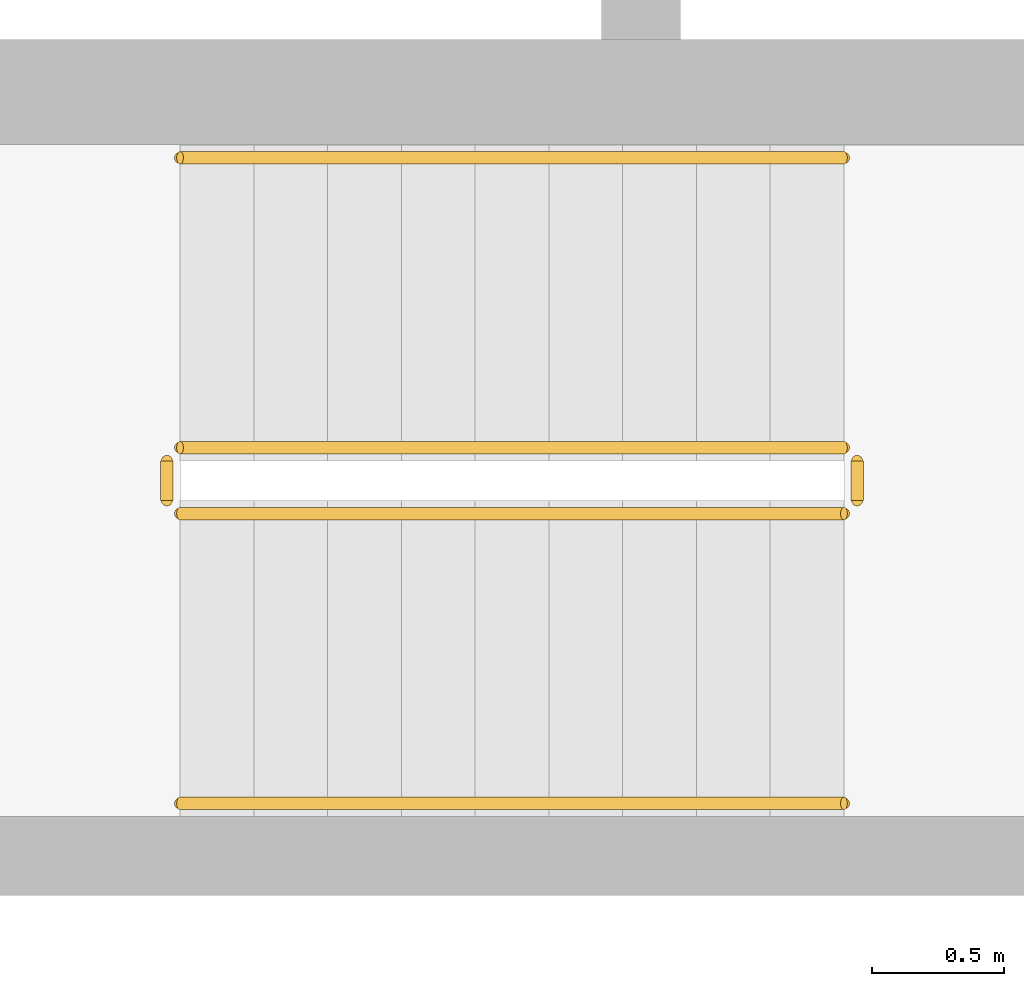
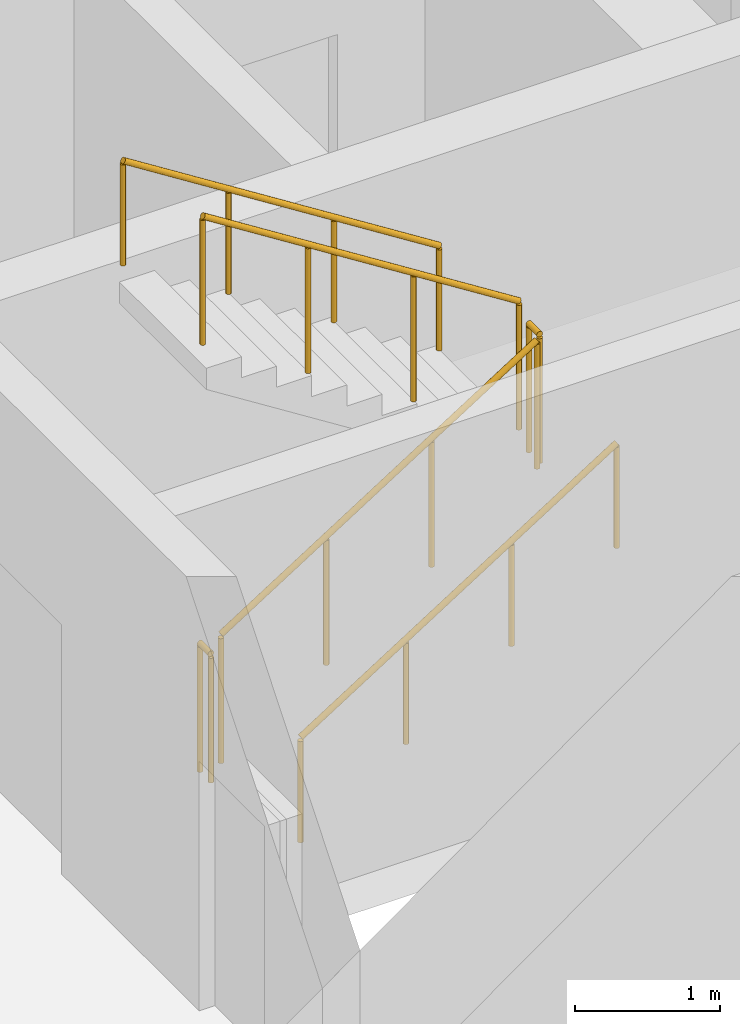
# One storey, part 14 of 16: 6 railings.
"""IFC4 building model written with IfcOpenShell, lengths in metres."""

from ifc_helpers import new_model, si_unit, direction, frame, origin, origin_2d, place, context, subcontext, project, spatial, circle, extrude, material, type_object, element, save


model = new_model("IFC4")

# Units and contexts
model_context = context("Model", 3, precision=1e-05, world=origin(), true_north=direction((0.0, 1.0)))
body_context = subcontext(model_context, "Body", "Model", "MODEL_VIEW")
ifc_project = project(units=[si_unit("LENGTHUNIT", "METRE"), si_unit("AREAUNIT", "SQUARE_METRE"), si_unit("VOLUMEUNIT", "CUBIC_METRE"), si_unit("PLANEANGLEUNIT", "RADIAN"), si_unit("MASSUNIT", "GRAM", prefix="KILO")], contexts=[model_context])

# Site, building, storey
site_placement = place(None, origin())
site = spatial("IfcSite", under=ifc_project, at=site_placement, CompositionType="ELEMENT")
building_placement = place(site_placement, origin())
building = spatial("IfcBuilding", under=site, at=building_placement, Name="Ostrand Prow Hotel Tower", CompositionType="ELEMENT")
storey_placement = place(building_placement, frame((0.0, 0.0, 220.800048828125)))
storey = spatial("IfcBuildingStorey", under=building, at=storey_placement, Name="L55", CompositionType="ELEMENT", Elevation=220.800048828125)

# Railings
ifc_material_1 = material(Name="Painted steel", Category="steel")
railing_type_1 = type_object("IfcRailingType", Name="Stair guard 1100", PredefinedType="GUARDRAIL", material=ifc_material_1)
railing_1_placement = place(storey_placement, frame((57.199951171875, -11.75, 0.177490234375)))
element("IfcRailing", 1, at=railing_1_placement, inside=storey, type_object=railing_type_1, Name="L55 ST2C stair guard 1", PredefinedType="GUARDRAIL", context=body_context, shape_type="SweptSolid", body=[
    extrude(circle(Radius=0.02392578125, at=origin_2d()), frame((0.0, 0.0, 1.076171875), z_axis=(0.84460694969, 0.0, 0.535386869969), x_axis=(0.0, 1.0, 0.0)), (0.0, 0.0, 1.0), 2.983642578125),
    extrude(circle(Radius=0.02099609375, at=origin_2d()), origin(), (0.0, 0.0, 1.0), 1.052001953125),
    extrude(circle(Radius=0.02099609375, at=origin_2d()), frame((0.840087890625, 0.0, 0.532470703125)), (0.0, 0.0, 1.0), 1.052001953125),
    extrude(circle(Radius=0.02099609375, at=origin_2d()), frame((1.679931640625, 0.0, 1.06494140625)), (0.0, 0.0, 1.0), 1.052001953125),
    extrude(circle(Radius=0.02099609375, at=origin_2d()), frame((2.52001953125, 0.0, 1.597412109375)), (0.0, 0.0, 1.0), 1.052001953125),
])
railing_2_placement = place(storey_placement, frame((59.77001953125, -11.699951171875, 1.77490234375)))
element("IfcRailing", 2, at=railing_2_placement, inside=storey, type_object=railing_type_1, Name="L55 ST2C stair guard 2", PredefinedType="GUARDRAIL", context=body_context, shape_type="SweptSolid", body=[
    extrude(circle(Radius=0.02392578125, at=origin_2d()), frame((0.0, 0.0, 1.076171875), z_axis=(0.0, 1.0, 0.0), x_axis=(-1.0, 0.0, 0.0)), (0.0, 0.0, 1.0), 0.14990234375),
    extrude(circle(Radius=0.02099609375, at=origin_2d()), origin(), (0.0, 0.0, 1.0), 1.052001953125),
    extrude(circle(Radius=0.02099609375, at=origin_2d()), frame((0.0, 0.14990234375, 0.0)), (0.0, 0.0, 1.0), 1.052001953125),
])
railing_3_placement = place(storey_placement, frame((59.719970703125, -11.5, 1.952392578125)))
element("IfcRailing", 3, at=railing_3_placement, inside=storey, type_object=railing_type_1, Name="L55 ST2C stair guard 3", PredefinedType="GUARDRAIL", context=body_context, shape_type="SweptSolid", body=[
    extrude(circle(Radius=0.02392578125, at=origin_2d()), frame((0.0, 0.0, 1.076171875), z_axis=(-0.84456994832, 0.0, 0.535445237532), x_axis=(0.0, -1.0, 0.0)), (0.0, 0.0, 1.0), 2.98388671875),
    extrude(circle(Radius=0.02099609375, at=origin_2d()), origin(), (0.0, 0.0, 1.0), 1.052001953125),
    extrude(circle(Radius=0.02099609375, at=origin_2d()), frame((-0.840087890625, 0.0, 0.532470703125)), (0.0, 0.0, 1.0), 1.052001953125),
    extrude(circle(Radius=0.02099609375, at=origin_2d()), frame((-1.679931640625, 0.0, 1.065185546875)), (0.0, 0.0, 1.0), 1.052001953125),
    extrude(circle(Radius=0.02099609375, at=origin_2d()), frame((-2.52001953125, 0.0, 1.59765625)), (0.0, 0.0, 1.0), 1.052001953125),
])
railing_4_placement = place(storey_placement, frame((57.14990234375, -11.699951171875, 0.0)))
element("IfcRailing", 4, at=railing_4_placement, inside=storey, type_object=railing_type_1, Name="L55 ST2C stair guard 4", PredefinedType="GUARDRAIL", context=body_context, shape_type="SweptSolid", body=[
    extrude(circle(Radius=0.02392578125, at=origin_2d()), frame((0.0, 0.0, 1.076171875), z_axis=(0.0, 1.0, 0.0), x_axis=(-1.0, 0.0, 0.0)), (0.0, 0.0, 1.0), 0.14990234375),
    extrude(circle(Radius=0.02099609375, at=origin_2d()), origin(), (0.0, 0.0, 1.0), 1.052001953125),
    extrude(circle(Radius=0.02099609375, at=origin_2d()), frame((0.0, 0.14990234375, 0.0)), (0.0, 0.0, 1.0), 1.052001953125),
])
ifc_material_2 = material(Name="Stainless steel", Category="steel")
railing_type_2 = type_object("IfcRailingType", Name="Stair handrail 900", PredefinedType="HANDRAIL", material=ifc_material_2)
railing_5_placement = place(storey_placement, frame((57.199951171875, -12.85009765625, 0.177490234375)))
element("IfcRailing", 5, at=railing_5_placement, inside=storey, type_object=railing_type_2, Name="L55 ST2C stair handrail 1", PredefinedType="HANDRAIL", context=body_context, shape_type="SweptSolid", body=[
    extrude(circle(Radius=0.02392578125, at=origin_2d()), frame((0.0, 0.0, 0.8759765625), z_axis=(0.84460694969, 0.0, 0.535386869969), x_axis=(0.0, 1.0, 0.0)), (0.0, 0.0, 1.0), 2.983642578125),
    extrude(circle(Radius=0.02099609375, at=origin_2d()), origin(), (0.0, 0.0, 1.0), 0.851806640625),
    extrude(circle(Radius=0.02099609375, at=origin_2d()), frame((0.840087890625, 0.0, 0.532470703125)), (0.0, 0.0, 1.0), 0.851806640625),
    extrude(circle(Radius=0.02099609375, at=origin_2d()), frame((1.679931640625, 0.0, 1.06494140625)), (0.0, 0.0, 1.0), 0.851806640625),
    extrude(circle(Radius=0.02099609375, at=origin_2d()), frame((2.52001953125, 0.0, 1.597412109375)), (0.0, 0.0, 1.0), 0.851806640625),
])
railing_6_placement = place(storey_placement, frame((59.719970703125, -10.39990234375, 1.952392578125)))
element("IfcRailing", 6, at=railing_6_placement, inside=storey, type_object=railing_type_2, Name="L55 ST2C stair handrail 2", PredefinedType="HANDRAIL", context=body_context, shape_type="SweptSolid", body=[
    extrude(circle(Radius=0.02392578125, at=origin_2d()), frame((0.0, 0.0, 0.8759765625), z_axis=(-0.84456994832, 0.0, 0.535445237532), x_axis=(0.0, -1.0, 0.0)), (0.0, 0.0, 1.0), 2.98388671875),
    extrude(circle(Radius=0.02099609375, at=origin_2d()), origin(), (0.0, 0.0, 1.0), 0.851806640625),
    extrude(circle(Radius=0.02099609375, at=origin_2d()), frame((-0.840087890625, 0.0, 0.532470703125)), (0.0, 0.0, 1.0), 0.851806640625),
    extrude(circle(Radius=0.02099609375, at=origin_2d()), frame((-1.679931640625, 0.0, 1.065185546875)), (0.0, 0.0, 1.0), 0.851806640625),
    extrude(circle(Radius=0.02099609375, at=origin_2d()), frame((-2.52001953125, 0.0, 1.59765625)), (0.0, 0.0, 1.0), 0.851806640625),
])

save(model, "model.ifc")
